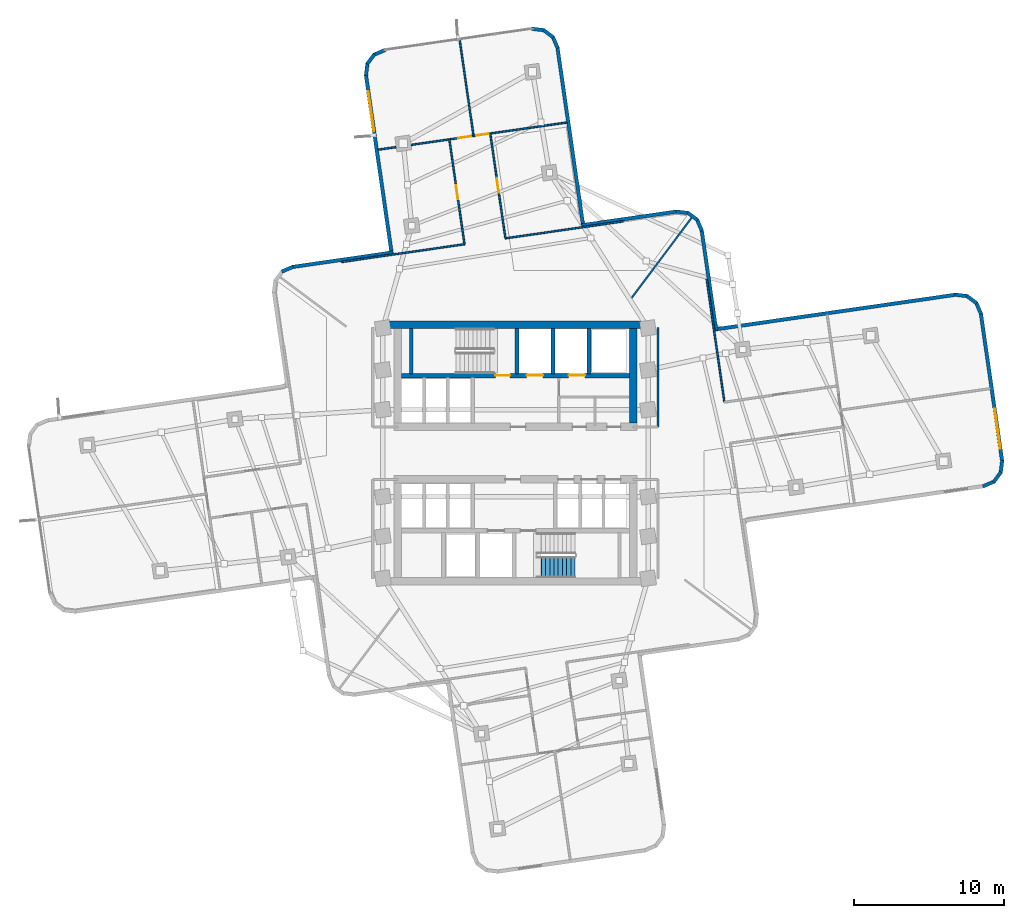
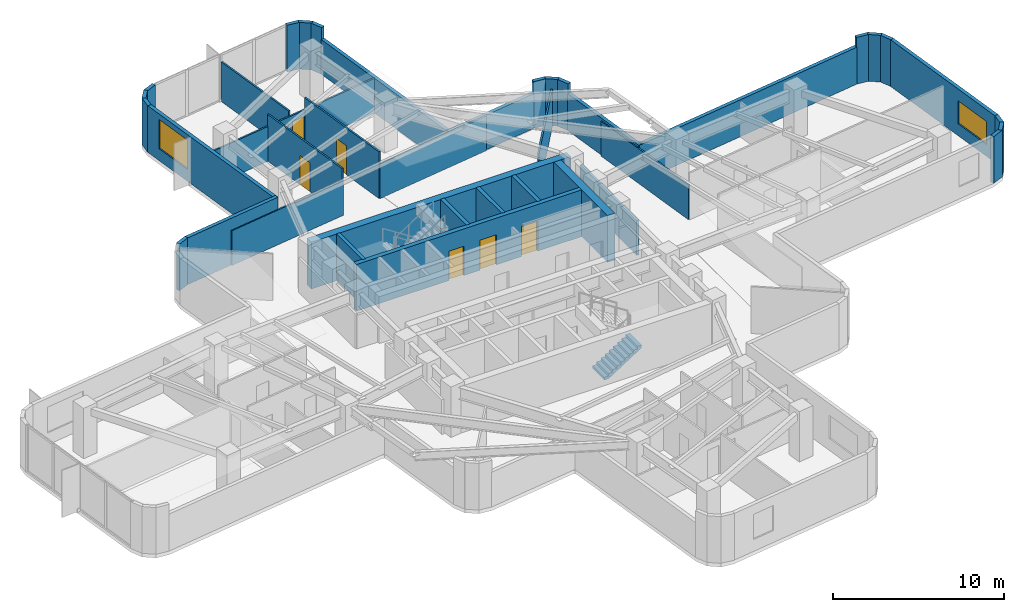
# One storey, part 8 of 13: 39 walls, 7 doors, 2 windows, 1 stair flight, 9 openings, 1 element without a shape of its own.
"""IFC4 building model written with IfcOpenShell, lengths in metres."""

from ifc_helpers import new_model, si_unit, direction, frame, frame_2d, origin, place, context, subcontext, project, spatial, polyline, rectangle, outline, extrude, material, layer, layer_set, type_object, element, fill, aggregate, save


model = new_model("IFC4")

# Units and contexts
model_context = context("Model", 3, precision=1e-05, world=origin(), true_north=direction((0.0, 1.0)))
body_context = subcontext(model_context, "Body", "Model", "MODEL_VIEW")
ifc_project = project(units=[si_unit("LENGTHUNIT", "METRE"), si_unit("AREAUNIT", "SQUARE_METRE"), si_unit("VOLUMEUNIT", "CUBIC_METRE"), si_unit("PLANEANGLEUNIT", "RADIAN"), si_unit("MASSUNIT", "GRAM", prefix="KILO")], contexts=[model_context])

# Site, building, storey
site_placement = place(None, origin())
site = spatial("IfcSite", under=ifc_project, at=site_placement, CompositionType="ELEMENT")
building_placement = place(site_placement, origin())
building = spatial("IfcBuilding", under=site, at=building_placement, Name="Solmarez Civic Tower", CompositionType="ELEMENT")
storey_placement = place(building_placement, frame((0.0, 0.0, 89.280029296875)))
storey = spatial("IfcBuildingStorey", under=building, at=storey_placement, Name="L23", CompositionType="ELEMENT", Elevation=89.280029296875)

# Walls
ifc_material_1 = material(Name="Concrete C60/75", Category="concrete")
ifc_layer_1 = layer(ifc_material_1, 0.5)
ifc_layer_set_1 = layer_set([ifc_layer_1], Name="Concrete C60/75")
wall_type_1 = type_object("IfcWallType", Name="WALL-CORE-500", PredefinedType="SHEAR", material=ifc_layer_set_1)
wall_1_placement = place(storey_placement, frame((-8.780029296875, 8.56005859375, 0.0), z_axis=(0.0, 0.0, 1.0), x_axis=(1.0, 0.0, 0.0)))
element("IfcWall", 1, at=wall_1_placement, inside=storey, type_object=wall_type_1, Name="L23 Split-Core Structural Wall NCW-N-L23", PredefinedType="SHEAR", context=body_context, shape_type="SweptSolid", body=[
    extrude(rectangle(XDim=17.56005859375, YDim=0.5, at=frame_2d((8.780029296875, 0.0))), origin(), (0.0, 0.0, 1.0), 3.340087890625),
])
wall_2_placement = place(storey_placement, frame((7.8701171875, 8.31005859375, 0.0), z_axis=(0.0, 0.0, 1.0), x_axis=(0.0, -1.0, 0.0)))
element("IfcWall", 2, at=wall_2_placement, inside=storey, type_object=wall_type_1, Name="L23 Split-Core Structural Wall NCW-E-L23", PredefinedType="SHEAR", context=body_context, shape_type="SweptSolid", body=[
    extrude(rectangle(XDim=6.31005859375, YDim=0.5, at=frame_2d((3.155029296875, 0.0))), origin(), (0.0, 0.0, 1.0), 3.340087890625),
])
ifc_material_2 = material(Name="Precast concrete C40/50", Category="concrete")
ifc_layer_2 = layer(ifc_material_2, 0.239990234375)
ifc_layer_set_2 = layer_set([ifc_layer_2], Name="Precast concrete C40/50")
wall_type_2 = type_object("IfcWallType", Name="WALL-EXT-240", PredefinedType="SOLIDWALL", material=ifc_layer_set_2)
wall_3_placement = place(storey_placement, frame((-15.60009765625, 12.1201171875, 0.0), z_axis=(0.0, 0.0, 1.0), x_axis=(0.918795004047, 0.394735025731, 0.0)))
element("IfcWall", 3, at=wall_3_placement, inside=storey, type_object=wall_type_2, Name="L23 Exterior Precast Wall 16", PredefinedType="SOLIDWALL", context=body_context, shape_type="SweptSolid", body=[
    extrude(rectangle(XDim=0.83056640625, YDim=0.239990234375, at=frame_2d((0.415283203125, 0.0))), origin(), (0.0, 0.0, 1.0), 3.340087890625),
])
wall_4_placement = place(storey_placement, frame((-14.885009765625, 12.43408203125, 0.0), z_axis=(0.0, 0.0, 1.0), x_axis=(0.989767068769, 0.142692500085, 0.0)))
element("IfcWall", 4, at=wall_4_placement, inside=storey, type_object=wall_type_2, Name="L23 Exterior Precast Wall 17", PredefinedType="SOLIDWALL", context=body_context, shape_type="SweptSolid", body=[
    extrude(rectangle(XDim=6.775390625, YDim=0.239990234375, at=frame_2d((3.3876953125, 0.0))), origin(), (0.0, 0.0, 1.0), 3.340087890625),
])

# Wall, opening, window
wall_5_placement = place(storey_placement, frame((-8.260009765625, 13.2919921875, 0.0), z_axis=(0.0, 0.0, 1.0), x_axis=(-0.14267798931, 0.989769160646, 0.0)))
wall_5 = element("IfcWall", 5, at=wall_5_placement, inside=storey, type_object=wall_type_2, Name="L23 Exterior Precast Wall 20", PredefinedType="SOLIDWALL", context=body_context, shape_type="SweptSolid", body=[
    extrude(rectangle(XDim=12.075439453125, YDim=0.239990234375, at=frame_2d((6.03759765625, 0.0))), origin(), (0.0, 0.0, 1.0), 3.340087890625),
])
opening_1_placement = place(wall_5_placement, frame((8.27587890625, 0.0, 0.85009765625)))
opening_1 = element("IfcOpeningElement", 6, at=opening_1_placement, cuts=wall_5, Name="Opening W-01", PredefinedType="OPENING", context=body_context, shape_type="SweptSolid", body=[
    extrude(rectangle(XDim=2.699951171875, YDim=2.10009765625, at=frame_2d((1.35009765625, 1.050048828125))), frame((0.0, 0.1298828125, 0.0), z_axis=(0.0, -1.0, 0.0), x_axis=(1.0, 0.0, 0.0)), (0.0, 0.0, 1.0), 0.260009765625),
])
ifc_material_3 = material(Name="Solar Control Bronze-Tinted Insulating Glass", Category="glass")
window_type_1 = type_object("IfcWindowType", Name="WIN-2700X2100", PartitioningType="SINGLE_PANEL", PredefinedType="WINDOW", material=ifc_material_3)
window_1_placement = place(opening_1_placement, origin())
window_1 = element("IfcWindow", 7, at=window_1_placement, inside=storey, type_object=window_type_1, Name="L23 Exterior Facade Window 20", OverallHeight=2.10009765625, OverallWidth=2.699951171875, PartitioningType="SINGLE_PANEL", PredefinedType="WINDOW", context=body_context, shape_type="SweptSolid", body=[
    extrude(rectangle(XDim=2.699951171875, YDim=2.10009765625, at=frame_2d((1.35009765625, 1.050048828125))), frame((0.0, 0.030029296875, 0.0), z_axis=(0.0, -1.0, 0.0), x_axis=(1.0, 0.0, 0.0)), (0.0, 0.0, 1.0), 0.06005859375),
])
fill(opening_1, window_1)

# Walls
wall_6_placement = place(storey_placement, frame((-9.98193359375, 25.194091796875, 0.0), z_axis=(0.0, 0.0, 1.0), x_axis=(0.117847211411, 0.993031739051, 0.0)))
element("IfcWall", 8, at=wall_6_placement, inside=storey, type_object=wall_type_2, Name="L23 Exterior Precast Wall 21", PredefinedType="SOLIDWALL", context=body_context, shape_type="SweptSolid", body=[
    extrude(rectangle(XDim=0.830810546875, YDim=0.239990234375, at=frame_2d((0.41552734375, 0.0))), origin(), (0.0, 0.0, 1.0), 3.340087890625),
])
wall_7_placement = place(storey_placement, frame((-9.902099609375, 25.97412109375, 0.0), z_axis=(0.0, 0.0, 1.0), x_axis=(0.599903963027, 0.800072018724, 0.0)))
element("IfcWall", 9, at=wall_7_placement, inside=storey, type_object=wall_type_2, Name="L23 Exterior Precast Wall 22", PredefinedType="SOLIDWALL", context=body_context, shape_type="SweptSolid", body=[
    extrude(rectangle(XDim=0.8134765625, YDim=0.239990234375, at=frame_2d((0.40673828125, 0.0))), origin(), (0.0, 0.0, 1.0), 3.340087890625),
])
wall_8_placement = place(storey_placement, frame((-9.451904296875, 26.594970703125, 0.0), z_axis=(0.0, 0.0, 1.0), x_axis=(0.91864251547, 0.395089773053, 0.0)))
element("IfcWall", 10, at=wall_8_placement, inside=storey, type_object=wall_type_2, Name="L23 Exterior Precast Wall 23", PredefinedType="SOLIDWALL", context=body_context, shape_type="SweptSolid", body=[
    extrude(rectangle(XDim=0.83056640625, YDim=0.239990234375, at=frame_2d((0.415283203125, 0.0))), origin(), (0.0, 0.0, 1.0), 3.340087890625),
])
wall_9_placement = place(storey_placement, frame((1.090087890625, 28.33203125, 0.0), z_axis=(0.0, 0.0, 1.0), x_axis=(0.992858752215, -0.119295842971, 0.0)))
element("IfcWall", 11, at=wall_9_placement, inside=storey, type_object=wall_type_2, Name="L23 Exterior Precast Wall 25", PredefinedType="SOLIDWALL", context=body_context, shape_type="SweptSolid", body=[
    extrude(rectangle(XDim=0.830810546875, YDim=0.239990234375, at=frame_2d((0.41552734375, 0.0))), origin(), (0.0, 0.0, 1.0), 3.340087890625),
])
wall_10_placement = place(storey_placement, frame((1.8701171875, 28.2509765625, 0.0), z_axis=(0.0, 0.0, 1.0), x_axis=(0.801078810005, -0.598558886127, 0.0)))
element("IfcWall", 12, at=wall_10_placement, inside=storey, type_object=wall_type_2, Name="L23 Exterior Precast Wall 26", PredefinedType="SOLIDWALL", context=body_context, shape_type="SweptSolid", body=[
    extrude(rectangle(XDim=0.813720703125, YDim=0.239990234375, at=frame_2d((0.40673828125, 0.0))), origin(), (0.0, 0.0, 1.0), 3.340087890625),
])
wall_11_placement = place(storey_placement, frame((2.491943359375, 27.802001953125, 0.0), z_axis=(0.0, 0.0, 1.0), x_axis=(0.39409676662, -0.919068952005, 0.0)))
element("IfcWall", 13, at=wall_11_placement, inside=storey, type_object=wall_type_2, Name="L23 Exterior Precast Wall 27", PredefinedType="SOLIDWALL", context=body_context, shape_type="SweptSolid", body=[
    extrude(rectangle(XDim=0.830078125, YDim=0.239990234375, at=frame_2d((0.4150390625, 0.0))), origin(), (0.0, 0.0, 1.0), 3.340087890625),
])
wall_12_placement = place(storey_placement, frame((2.804931640625, 27.0869140625, 0.0), z_axis=(0.0, 0.0, 1.0), x_axis=(0.142686374402, -0.989767951876, 0.0)))
element("IfcWall", 14, at=wall_12_placement, inside=storey, type_object=wall_type_2, Name="L23 Exterior Precast Wall 28", PredefinedType="SOLIDWALL", context=body_context, shape_type="SweptSolid", body=[
    extrude(rectangle(XDim=12.076416015625, YDim=0.239990234375, at=frame_2d((6.0380859375, 0.0))), origin(), (0.0, 0.0, 1.0), 2.486083984375),
])
wall_13_placement = place(storey_placement, frame((4.4189453125, 15.215087890625, 0.0), z_axis=(0.0, 0.0, 1.0), x_axis=(0.989755260243, 0.14277438433, 0.0)))
element("IfcWall", 15, at=wall_13_placement, inside=storey, type_object=wall_type_2, Name="L23 Exterior Precast Wall 31", PredefinedType="SOLIDWALL", context=body_context, shape_type="SweptSolid", body=[
    extrude(rectangle(XDim=6.415771484375, YDim=0.239990234375, at=frame_2d((3.2080078125, 0.0))), origin(), (0.0, 0.0, 1.0), 2.486083984375),
])
wall_14_placement = place(storey_placement, frame((10.718994140625, 16.1298828125, 0.0), z_axis=(0.0, 0.0, 1.0), x_axis=(0.993031739051, -0.117847211411, 0.0)))
element("IfcWall", 16, at=wall_14_placement, inside=storey, type_object=wall_type_2, Name="L23 Exterior Precast Wall 32", PredefinedType="SOLIDWALL", context=body_context, shape_type="SweptSolid", body=[
    extrude(rectangle(XDim=0.830810546875, YDim=0.239990234375, at=frame_2d((0.41552734375, 0.0))), origin(), (0.0, 0.0, 1.0), 3.340087890625),
])
wall_15_placement = place(storey_placement, frame((11.4990234375, 16.050048828125, 0.0), z_axis=(0.0, 0.0, 1.0), x_axis=(0.800072018724, -0.599903963027, 0.0)))
element("IfcWall", 17, at=wall_15_placement, inside=storey, type_object=wall_type_2, Name="L23 Exterior Precast Wall 33", PredefinedType="SOLIDWALL", context=body_context, shape_type="SweptSolid", body=[
    extrude(rectangle(XDim=0.8134765625, YDim=0.239990234375, at=frame_2d((0.40673828125, 0.0))), origin(), (0.0, 0.0, 1.0), 3.340087890625),
])
wall_16_placement = place(storey_placement, frame((12.1201171875, 15.60009765625, 0.0), z_axis=(0.0, 0.0, 1.0), x_axis=(0.394735025731, -0.918795004047, 0.0)))
element("IfcWall", 18, at=wall_16_placement, inside=storey, type_object=wall_type_2, Name="L23 Exterior Precast Wall 34", PredefinedType="SOLIDWALL", context=body_context, shape_type="SweptSolid", body=[
    extrude(rectangle(XDim=0.83056640625, YDim=0.239990234375, at=frame_2d((0.415283203125, 0.0))), origin(), (0.0, 0.0, 1.0), 3.340087890625),
])
wall_17_placement = place(storey_placement, frame((12.43408203125, 14.885009765625, 0.0), z_axis=(0.0, 0.0, 1.0), x_axis=(0.142692500085, -0.989767068769, 0.0)))
element("IfcWall", 19, at=wall_17_placement, inside=storey, type_object=wall_type_2, Name="L23 Exterior Precast Wall 35", PredefinedType="SOLIDWALL", context=body_context, shape_type="SweptSolid", body=[
    extrude(rectangle(XDim=6.775390625, YDim=0.239990234375, at=frame_2d((3.3876953125, 0.0))), origin(), (0.0, 0.0, 1.0), 2.64404296875),
])
wall_18_placement = place(storey_placement, frame((13.2919921875, 8.260009765625, 0.0), z_axis=(0.0, 0.0, 1.0), x_axis=(0.989770197797, 0.142670794326, 0.0)))
element("IfcWall", 20, at=wall_18_placement, inside=storey, type_object=wall_type_2, Name="L23 Exterior Precast Wall 38", PredefinedType="SOLIDWALL", context=body_context, shape_type="SweptSolid", body=[
    extrude(rectangle(XDim=16.275390625, YDim=0.239990234375, at=frame_2d((8.1376953125, 0.0))), origin(), (0.0, 0.0, 1.0), 2.64404296875),
])
wall_19_placement = place(storey_placement, frame((29.35107421875, 10.5810546875, 0.0), z_axis=(0.0, 0.0, 1.0), x_axis=(0.992997305963, -0.118136998224, 0.0)))
element("IfcWall", 21, at=wall_19_placement, inside=storey, type_object=wall_type_2, Name="L23 Exterior Precast Wall 39", PredefinedType="SOLIDWALL", context=body_context, shape_type="SweptSolid", body=[
    extrude(rectangle(XDim=0.830810546875, YDim=0.239990234375, at=frame_2d((0.41552734375, 0.0))), origin(), (0.0, 0.0, 1.0), 3.340087890625),
])
wall_20_placement = place(storey_placement, frame((30.131103515625, 10.5009765625, 0.0), z_axis=(0.0, 0.0, 1.0), x_axis=(0.800072018724, -0.599903963027, 0.0)))
element("IfcWall", 22, at=wall_20_placement, inside=storey, type_object=wall_type_2, Name="L23 Exterior Precast Wall 40", PredefinedType="SOLIDWALL", context=body_context, shape_type="SweptSolid", body=[
    extrude(rectangle(XDim=0.8134765625, YDim=0.239990234375, at=frame_2d((0.40673828125, 0.0))), origin(), (0.0, 0.0, 1.0), 3.340087890625),
])
wall_21_placement = place(storey_placement, frame((30.751953125, 10.051025390625, 0.0), z_axis=(0.0, 0.0, 1.0), x_axis=(0.395089773053, -0.91864251547, 0.0)))
element("IfcWall", 23, at=wall_21_placement, inside=storey, type_object=wall_type_2, Name="L23 Exterior Precast Wall 41", PredefinedType="SOLIDWALL", context=body_context, shape_type="SweptSolid", body=[
    extrude(rectangle(XDim=0.83056640625, YDim=0.239990234375, at=frame_2d((0.415283203125, 0.0))), origin(), (0.0, 0.0, 1.0), 3.340087890625),
])

# Wall, opening, window
wall_22_placement = place(storey_placement, frame((31.06591796875, 9.3359375, 0.0), z_axis=(0.0, 0.0, 1.0), x_axis=(0.142705661552, -0.98976517122, 0.0)))
wall_22 = element("IfcWall", 24, at=wall_22_placement, inside=storey, type_object=wall_type_2, Name="L23 Exterior Precast Wall 42", PredefinedType="SOLIDWALL", context=body_context, shape_type="SweptSolid", body=[
    extrude(rectangle(XDim=9.97900390625, YDim=0.239990234375, at=frame_2d((4.989501953125, 0.0))), origin(), (0.0, 0.0, 1.0), 3.340087890625),
])
opening_2_placement = place(wall_22_placement, frame((6.43408203125, 0.0, 0.85009765625)))
opening_2 = element("IfcOpeningElement", 25, at=opening_2_placement, cuts=wall_22, Name="Opening W-09", PredefinedType="OPENING", context=body_context, shape_type="SweptSolid", body=[
    extrude(rectangle(XDim=2.699951171875, YDim=1.64990234375, at=frame_2d((1.35009765625, 0.824951171875))), frame((0.0, 0.1298828125, 0.0), z_axis=(0.0, -1.0, 0.0), x_axis=(1.0, 0.0, 0.0)), (0.0, 0.0, 1.0), 0.260009765625),
])
window_type_2 = type_object("IfcWindowType", Name="WIN-2700X1650", PartitioningType="SINGLE_PANEL", PredefinedType="WINDOW", material=ifc_material_3)
window_2_placement = place(opening_2_placement, origin())
window_2 = element("IfcWindow", 26, at=window_2_placement, inside=storey, type_object=window_type_2, Name="L23 Exterior Facade Window 42", OverallHeight=1.64990234375, OverallWidth=2.699951171875, PartitioningType="SINGLE_PANEL", PredefinedType="WINDOW", context=body_context, shape_type="SweptSolid", body=[
    extrude(rectangle(XDim=2.699951171875, YDim=1.64990234375, at=frame_2d((1.35009765625, 0.824951171875))), frame((0.0, 0.030029296875, 0.0), z_axis=(0.0, -1.0, 0.0), x_axis=(1.0, 0.0, 0.0)), (0.0, 0.0, 1.0), 0.06005859375),
])
fill(opening_2, window_2)

# Walls
wall_23_placement = place(storey_placement, frame((32.489013671875, -0.490966796875, 0.0), z_axis=(0.0, 0.0, 1.0), x_axis=(-0.119295842971, -0.992858752215, 0.0)))
element("IfcWall", 27, at=wall_23_placement, inside=storey, type_object=wall_type_2, Name="L23 Exterior Precast Wall 43", PredefinedType="SOLIDWALL", context=body_context, shape_type="SweptSolid", body=[
    extrude(rectangle(XDim=0.830810546875, YDim=0.239990234375, at=frame_2d((0.41552734375, 0.0))), origin(), (0.0, 0.0, 1.0), 3.340087890625),
])
wall_24_placement = place(storey_placement, frame((32.407958984375, -1.27099609375, 0.0), z_axis=(0.0, 0.0, 1.0), x_axis=(-0.598415049045, -0.801186263659, 0.0)))
element("IfcWall", 28, at=wall_24_placement, inside=storey, type_object=wall_type_2, Name="L23 Exterior Precast Wall 44", PredefinedType="SOLIDWALL", context=body_context, shape_type="SweptSolid", body=[
    extrude(rectangle(XDim=0.81396484375, YDim=0.239990234375, at=frame_2d((0.406982421875, 0.0))), origin(), (0.0, 0.0, 1.0), 3.340087890625),
])
wall_25_placement = place(storey_placement, frame((31.958984375, -1.89306640625, 0.0), z_axis=(0.0, 0.0, 1.0), x_axis=(-0.919175455153, -0.393848299024, 0.0)))
element("IfcWall", 29, at=wall_25_placement, inside=storey, type_object=wall_type_2, Name="L23 Exterior Precast Wall 45", PredefinedType="SOLIDWALL", context=body_context, shape_type="SweptSolid", body=[
    extrude(rectangle(XDim=0.830078125, YDim=0.239990234375, at=frame_2d((0.4150390625, 0.0))), origin(), (0.0, 0.0, 1.0), 3.340087890625),
])
ifc_material_4 = material(Name="Gypsum Board Acoustic Steel-Stud Partition", Category="steel")
ifc_layer_3 = layer(ifc_material_4, 0.14990234375)
ifc_layer_set_3 = layer_set([ifc_layer_3], Name="Gypsum Board Acoustic Steel-Stud Partition")
wall_type_3 = type_object("IfcWallType", Name="WALL-INT-FIRE-150", PredefinedType="PARTITIONING", material=ifc_layer_set_3)
wall_26_placement = place(storey_placement, frame((9.52001953125, 1.75, 0.0), z_axis=(0.0, 0.0, 1.0), x_axis=(0.0, 1.0, 0.0)))
element("IfcWall", 30, at=wall_26_placement, inside=storey, type_object=wall_type_3, Name="L23 Interior Partition CHW-L23-EN1", PredefinedType="PARTITIONING", context=body_context, shape_type="SweptSolid", body=[
    extrude(rectangle(XDim=6.6298828125, YDim=0.14990234375, at=frame_2d((3.31494140625, 0.0))), origin(), (0.0, 0.0, 1.0), 2.486083984375),
])
ifc_layer_4 = layer(ifc_material_4, 0.110107421875)
ifc_layer_set_4 = layer_set([ifc_layer_4], Name="Gypsum Board Acoustic Steel-Stud Partition")
wall_type_4 = type_object("IfcWallType", Name="WALL-INT-PART-110", PredefinedType="PARTITIONING", material=ifc_layer_set_4)
wall_27_placement = place(storey_placement, frame((7.76611328125, 10.3798828125, 0.0), z_axis=(0.0, 0.0, 1.0), x_axis=(0.598966195252, 0.800774310867, 0.0)))
element("IfcWall", 31, at=wall_27_placement, inside=storey, type_object=wall_type_4, Name="L23 Interior Partition PT-L23-QDIV-1", PredefinedType="PARTITIONING", context=body_context, shape_type="SweptSolid", body=[
    extrude(rectangle(XDim=6.691162109375, YDim=0.110107421875, at=frame_2d((3.345703125, 0.0))), origin(), (0.0, 0.0, 1.0), 2.64404296875),
])
for number, where, z_axis, x_axis, name in (
    (32, (13.948974609375, 3.39404296875, 0.0), (0.0, 0.0, 1.0), (-0.142725091033, 0.989762369657, 0.0), "L23 Interior Partition PT-L23-E-EFL"),
    (33, (-3.39404296875, 13.948974609375, 0.0), (0.0, 0.0, 1.0), (-0.989762369657, -0.142725091033, 0.0), "L23 Interior Partition PT-L23-N-EFL"),
):
    element("IfcWall", number, at=place(storey_placement, frame(where, z_axis=z_axis, x_axis=x_axis)), inside=storey, type_object=wall_type_4, Name=name, PredefinedType="PARTITIONING", context=body_context, shape_type="SweptSolid", body=[
        extrude(rectangle(XDim=8.309814453125, YDim=0.110107421875, at=frame_2d((4.15478515625, 0.0))), origin(), (0.0, 0.0, 1.0), 2.486083984375),
    ])
wall_28_placement = place(storey_placement, frame((7.18603515625, 15.47412109375, 0.0), z_axis=(0.0, 0.0, 1.0), x_axis=(-0.989754461648, -0.142779920322, 0.0)))
element("IfcWall", 34, at=wall_28_placement, inside=storey, type_object=wall_type_4, Name="L23 Interior Partition PT-L23-N-EFR", PredefinedType="PARTITIONING", context=body_context, shape_type="SweptSolid", body=[
    extrude(rectangle(XDim=7.949462890625, YDim=0.110107421875, at=frame_2d((3.974609375, 0.0))), origin(), (0.0, 0.0, 1.0), 2.486083984375),
])

# Wall, opening, door
wall_29_placement = place(storey_placement, frame((-4.412109375, 20.945068359375, 0.0), z_axis=(0.0, 0.0, 1.0), x_axis=(0.142576652211, -0.989783763377, 0.0)))
wall_29 = element("IfcWall", 35, at=wall_29_placement, inside=storey, type_object=wall_type_4, Name="L23 Interior Partition PT-L23-N-SL", PredefinedType="PARTITIONING", context=body_context, shape_type="SweptSolid", body=[
    extrude(rectangle(XDim=7.0703125, YDim=0.110107421875, at=frame_2d((3.53515625, 0.0))), origin(), (0.0, 0.0, 1.0), 3.340087890625),
])
opening_3_placement = place(wall_29_placement, frame((3.0849609375, 0.0, 0.0)))
opening_3 = element("IfcOpeningElement", 36, at=opening_3_placement, cuts=wall_29, Name="Opening D-10", PredefinedType="OPENING", context=body_context, shape_type="SweptSolid", body=[
    extrude(rectangle(XDim=0.949951171875, YDim=2.080078125, at=frame_2d((0.47509765625, 1.0400390625))), frame((0.0, 0.06494140625, 0.0), z_axis=(0.0, -1.0, 0.0), x_axis=(1.0, 0.0, 0.0)), (0.0, 0.0, 1.0), 0.130126953125),
])
ifc_material_5 = material(Name="Solid-Core Timber Ministry Office Door", Category="wood")
door_type_1 = type_object("IfcDoorType", Name="DOOR-INT-950", OperationType="NOTDEFINED", PredefinedType="DOOR", material=ifc_material_5)
door_1_placement = place(opening_3_placement, origin())
door_1 = element("IfcDoor", 37, at=door_1_placement, inside=storey, type_object=door_type_1, Name="L23 Diplomatic Sitting Lounge North Door", OperationType="SINGLE_SWING_LEFT", OverallHeight=2.080078125, OverallWidth=0.949951171875, PredefinedType="DOOR", context=body_context, shape_type="SweptSolid", body=[
    extrude(rectangle(XDim=0.949951171875, YDim=2.080078125, at=frame_2d((0.47509765625, 1.0400390625))), frame((0.0, 0.02490234375, 0.0), z_axis=(0.0, -1.0, 0.0), x_axis=(1.0, 0.0, 0.0)), (0.0, 0.0, 1.0), 0.050048828125),
])
fill(opening_3, door_1)

wall_30_placement = place(storey_placement, frame((-0.672119140625, 14.341064453125, 0.0), z_axis=(0.0, 0.0, 1.0), x_axis=(-0.142702521312, 0.989765623979, 0.0)))
wall_30 = element("IfcWall", 38, at=wall_30_placement, inside=storey, type_object=wall_type_4, Name="L23 Interior Partition PT-L23-N-SR", PredefinedType="PARTITIONING", context=body_context, shape_type="SweptSolid", body=[
    extrude(rectangle(XDim=7.069091796875, YDim=0.110107421875, at=frame_2d((3.53466796875, 0.0))), origin(), (0.0, 0.0, 1.0), 3.340087890625),
])
opening_4_placement = place(wall_30_placement, frame((3.0849609375, 0.0, 0.0)))
opening_4 = element("IfcOpeningElement", 39, at=opening_4_placement, cuts=wall_30, Name="Opening D-10", PredefinedType="OPENING", context=body_context, shape_type="SweptSolid", body=[
    extrude(rectangle(XDim=0.949951171875, YDim=2.080078125, at=frame_2d((0.47509765625, 1.0400390625))), frame((0.0, 0.06494140625, 0.0), z_axis=(0.0, -1.0, 0.0), x_axis=(1.0, 0.0, 0.0)), (0.0, 0.0, 1.0), 0.130126953125),
])
door_2_placement = place(opening_4_placement, origin())
door_2 = element("IfcDoor", 40, at=door_2_placement, inside=storey, type_object=door_type_1, Name="L23 Protocol Reception Room North Door", OperationType="SINGLE_SWING_RIGHT", OverallHeight=2.080078125, OverallWidth=0.949951171875, PredefinedType="DOOR", context=body_context, shape_type="SweptSolid", body=[
    extrude(rectangle(XDim=0.949951171875, YDim=2.080078125, at=frame_2d((0.47509765625, 1.0400390625))), frame((0.0, 0.02490234375, 0.0), z_axis=(0.0, -1.0, 0.0), x_axis=(1.0, 0.0, 0.0)), (0.0, 0.0, 1.0), 0.050048828125),
])
fill(opening_4, door_2)

# Wall
wall_31_placement = place(storey_placement, frame((-2.80810546875, 21.237060546875, 0.0), z_axis=(0.0, 0.0, 1.0), x_axis=(-0.142573953355, 0.989784152139, 0.0)))
element("IfcWall", 41, at=wall_31_placement, inside=storey, type_object=wall_type_4, Name="L23 Interior Partition PT-L23-N-TM", PredefinedType="PARTITIONING", context=body_context, shape_type="SweptSolid", body=[
    extrude(rectangle(XDim=6.375244140625, YDim=0.110107421875, at=frame_2d((3.1875, 0.0))), origin(), (0.0, 0.0, 1.0), 2.83203125),
])

# Wall, openings, doors
wall_32_placement = place(storey_placement, frame((-9.177978515625, 20.258056640625, 0.0), z_axis=(0.0, 0.0, 1.0), x_axis=(0.989782205751, 0.142587465011, 0.0)))
wall_32 = element("IfcWall", 42, at=wall_32_placement, inside=storey, type_object=wall_type_4, Name="L23 Interior Partition PT-L23-N-END", PredefinedType="PARTITIONING", context=body_context, shape_type="SweptSolid", body=[
    extrude(rectangle(XDim=12.749267578125, YDim=0.110107421875, at=frame_2d((6.37451171875, 0.0))), origin(), (0.0, 0.0, 1.0), 2.486083984375),
])
opening_5_placement = place(wall_32_placement, frame((6.614990234375, 0.0, 0.0)))
opening_5 = element("IfcOpeningElement", 43, at=opening_5_placement, cuts=wall_32, Name="Opening D-14", PredefinedType="OPENING", context=body_context, shape_type="SweptSolid", body=[
    extrude(rectangle(XDim=0.860107421875, YDim=2.0400390625, at=frame_2d((0.43017578125, 1.02001953125))), frame((0.0, 0.06494140625, 0.0), z_axis=(0.0, -1.0, 0.0), x_axis=(1.0, 0.0, 0.0)), (0.0, 0.0, 1.0), 0.130126953125),
])
opening_6_placement = place(wall_32_placement, frame((5.4150390625, 0.0, 0.0)))
opening_6 = element("IfcOpeningElement", 44, at=opening_6_placement, cuts=wall_32, Name="Opening D-14", PredefinedType="OPENING", context=body_context, shape_type="SweptSolid", body=[
    extrude(rectangle(XDim=0.860107421875, YDim=2.0400390625, at=frame_2d((0.43017578125, 1.02001953125))), frame((0.0, 0.06494140625, 0.0), z_axis=(0.0, -1.0, 0.0), x_axis=(1.0, 0.0, 0.0)), (0.0, 0.0, 1.0), 0.130126953125),
])
ifc_material_6 = material(Name="Timber Storage and Pantry Door", Category="wood")
door_type_2 = type_object("IfcDoorType", Name="DOOR-INT-850", OperationType="NOTDEFINED", PredefinedType="DOOR", material=ifc_material_6)
door_3_placement = place(opening_5_placement, origin())
door_3 = element("IfcDoor", 45, at=door_3_placement, inside=storey, type_object=door_type_2, Name="L23 Executive Boardroom Sixth North Door", OperationType="SINGLE_SWING_RIGHT", OverallHeight=2.0400390625, OverallWidth=0.860107421875, PredefinedType="DOOR", context=body_context, shape_type="SweptSolid", body=[
    extrude(rectangle(XDim=0.860107421875, YDim=2.0400390625, at=frame_2d((0.43017578125, 1.02001953125))), frame((0.0, 0.02490234375, 0.0), z_axis=(0.0, -1.0, 0.0), x_axis=(1.0, 0.0, 0.0)), (0.0, 0.0, 1.0), 0.050048828125),
])
fill(opening_5, door_3)
door_4_placement = place(opening_6_placement, origin())
door_4 = element("IfcDoor", 46, at=door_4_placement, inside=storey, type_object=door_type_2, Name="L23 Security Control Room Fifth North Door", OperationType="SINGLE_SWING_LEFT", OverallHeight=2.0400390625, OverallWidth=0.860107421875, PredefinedType="DOOR", context=body_context, shape_type="SweptSolid", body=[
    extrude(rectangle(XDim=0.860107421875, YDim=2.0400390625, at=frame_2d((0.43017578125, 1.02001953125))), frame((0.0, 0.02490234375, 0.0), z_axis=(0.0, -1.0, 0.0), x_axis=(1.0, 0.0, 0.0)), (0.0, 0.0, 1.0), 0.050048828125),
])
fill(opening_6, door_4)

ifc_material_7 = material(Name="Concrete C50/60", Category="concrete")
ifc_layer_5 = layer(ifc_material_7, 0.300048828125)
ifc_layer_set_5 = layer_set([ifc_layer_5], Name="Concrete C50/60")
wall_type_5 = type_object("IfcWallType", Name="WALL-STR-300", PredefinedType="SOLIDWALL", material=ifc_layer_set_5)
wall_33_placement = place(storey_placement, frame((7.6201171875, 5.179931640625, 0.0), z_axis=(0.0, 0.0, 1.0), x_axis=(-1.0, 0.0, 0.0)))
wall_33 = element("IfcWall", 47, at=wall_33_placement, inside=storey, type_object=wall_type_5, Name="L23 Split-Core Structural Wall NCW-M-L23", PredefinedType="SOLIDWALL", context=body_context, shape_type="SweptSolid", body=[
    extrude(rectangle(XDim=15.240234375, YDim=0.300048828125, at=frame_2d((7.6201171875, 0.0))), origin(), (0.0, 0.0, 1.0), 3.340087890625),
])
opening_7_placement = place(wall_33_placement, frame((5.77001953125, 0.0, 0.0)))
opening_7 = element("IfcOpeningElement", 48, at=opening_7_placement, cuts=wall_33, Name="Opening LD-02", PredefinedType="OPENING", context=body_context, shape_type="SweptSolid", body=[
    extrude(rectangle(XDim=1.10009765625, YDim=2.14990234375, at=frame_2d((0.550048828125, 1.074951171875))), frame((0.0, 0.159912109375, 0.0), z_axis=(0.0, -1.0, 0.0), x_axis=(1.0, 0.0, 0.0)), (0.0, 0.0, 1.0), 0.320068359375),
])
opening_8_placement = place(wall_33_placement, frame((2.969970703125, 0.0, 0.0)))
opening_8 = element("IfcOpeningElement", 49, at=opening_8_placement, cuts=wall_33, Name="Opening LD-03", PredefinedType="OPENING", context=body_context, shape_type="SweptSolid", body=[
    extrude(rectangle(XDim=1.10009765625, YDim=2.14990234375, at=frame_2d((0.550048828125, 1.074951171875))), frame((0.0, 0.159912109375, 0.0), z_axis=(0.0, -1.0, 0.0), x_axis=(1.0, 0.0, 0.0)), (0.0, 0.0, 1.0), 0.320068359375),
])
opening_9_placement = place(wall_33_placement, frame((7.969970703125, 0.0, 0.0)))
opening_9 = element("IfcOpeningElement", 50, at=opening_9_placement, cuts=wall_33, Name="Opening D-05", PredefinedType="OPENING", context=body_context, shape_type="SweptSolid", body=[
    extrude(rectangle(XDim=1.0, YDim=2.10009765625, at=frame_2d((0.5, 1.050048828125))), frame((0.0, 0.159912109375, 0.0), z_axis=(0.0, -1.0, 0.0), x_axis=(1.0, 0.0, 0.0)), (0.0, 0.0, 1.0), 0.320068359375),
])
ifc_material_8 = material(Name="Fire-Rated Stairwell Exit Door", Category="wood")
door_type_3 = type_object("IfcDoorType", Name="DOOR-FD90-1000", OperationType="NOTDEFINED", PredefinedType="DOOR", material=ifc_material_8)
door_5_placement = place(opening_9_placement, origin())
door_5 = element("IfcDoor", 51, at=door_5_placement, inside=storey, type_object=door_type_3, Name="L23 North Exit Stair Door ST-1", OperationType="SINGLE_SWING_RIGHT", OverallHeight=2.10009765625, OverallWidth=1.0, PredefinedType="DOOR", context=body_context, shape_type="SweptSolid", body=[
    extrude(rectangle(XDim=1.0, YDim=2.10009765625, at=frame_2d((0.5, 1.050048828125))), frame((0.0, 0.02490234375, 0.0), z_axis=(0.0, -1.0, 0.0), x_axis=(1.0, 0.0, 0.0)), (0.0, 0.0, 1.0), 0.050048828125),
])
fill(opening_9, door_5)
ifc_material_9 = material(Name="Stainless Firefighting Lift Landing Sliding Door", Category="aluminium")
door_type_4 = type_object("IfcDoorType", Name="DOOR-LD-FF-1100", OperationType="DOUBLE_DOOR_SLIDING", PredefinedType="DOOR", material=ifc_material_9)
door_6_placement = place(opening_7_placement, origin())
door_6 = element("IfcDoor", 52, at=door_6_placement, inside=storey, type_object=door_type_4, Name="L23 Firefighting Lift Landing Door FFL-1", OperationType="DOUBLE_DOOR_SLIDING", OverallHeight=2.14990234375, OverallWidth=1.10009765625, PredefinedType="DOOR", context=body_context, shape_type="SweptSolid", body=[
    extrude(rectangle(XDim=1.10009765625, YDim=2.14990234375, at=frame_2d((0.550048828125, 1.074951171875))), frame((0.0, 0.02490234375, 0.0), z_axis=(0.0, -1.0, 0.0), x_axis=(1.0, 0.0, 0.0)), (0.0, 0.0, 1.0), 0.050048828125),
])
fill(opening_7, door_6)
ifc_material_10 = material(Name="Stainless Stretcher Lift Landing Sliding Door", Category="aluminium")
door_type_5 = type_object("IfcDoorType", Name="DOOR-LD-SV-1100", OperationType="DOUBLE_DOOR_SLIDING", PredefinedType="DOOR", material=ifc_material_10)
door_7_placement = place(opening_8_placement, origin())
door_7 = element("IfcDoor", 53, at=door_7_placement, inside=storey, type_object=door_type_5, Name="L23 Service Stretcher Lift Landing Door SVL-1", OperationType="DOUBLE_DOOR_SLIDING", OverallHeight=2.14990234375, OverallWidth=1.10009765625, PredefinedType="DOOR", context=body_context, shape_type="SweptSolid", body=[
    extrude(rectangle(XDim=1.10009765625, YDim=2.14990234375, at=frame_2d((0.550048828125, 1.074951171875))), frame((0.0, 0.02490234375, 0.0), z_axis=(0.0, -1.0, 0.0), x_axis=(1.0, 0.0, 0.0)), (0.0, 0.0, 1.0), 0.050048828125),
])
fill(opening_8, door_7)

# Walls
wall_34_placement = place(storey_placement, frame((-6.949951171875, 5.280029296875, 0.0), z_axis=(0.0, 0.0, 1.0), x_axis=(0.0, 1.0, 0.0)))
element("IfcWall", 54, at=wall_34_placement, inside=storey, type_object=wall_type_5, Name="L23 Split-Core Structural Wall SHW-NW-L23", PredefinedType="SOLIDWALL", context=body_context, shape_type="SweptSolid", body=[
    extrude(rectangle(XDim=3.06005859375, YDim=0.219970703125, at=frame_2d((1.530029296875, 0.0))), origin(), (0.0, 0.0, 1.0), 3.340087890625),
])
for number, where, z_axis, x_axis, name in (
    (55, (0.10009765625, 5.300048828125, 0.0), (0.0, 0.0, 1.0), (0.0, 1.0, 0.0), "L23 Split-Core Structural Wall SHW-N1-L23"),
    (56, (2.5, 5.300048828125, 0.0), (0.0, 0.0, 1.0), (0.0, 1.0, 0.0), "L23 Split-Core Structural Wall SHW-N2-L23"),
    (57, (4.89990234375, 5.300048828125, 0.0), (0.0, 0.0, 1.0), (0.0, 1.0, 0.0), "L23 Split-Core Structural Wall SHW-N3-L23"),
):
    element("IfcWall", number, at=place(storey_placement, frame(where, z_axis=z_axis, x_axis=x_axis)), inside=storey, type_object=wall_type_5, Name=name, PredefinedType="SOLIDWALL", context=body_context, shape_type="SweptSolid", body=[
        extrude(rectangle(XDim=3.0400390625, YDim=0.25, at=frame_2d((1.52001953125, 0.0))), origin(), (0.0, 0.0, 1.0), 3.340087890625),
    ])

# Stair, stair flight
stair_type = type_object("IfcStairType", Name="STAIR-DOGLEG-140W-20R-1800", PredefinedType="HALF_TURN_STAIR", material=ifc_material_7)
stair_placement = place(storey_placement, origin())
stair = element("IfcStair", 58, at=stair_placement, inside=storey, type_object=stair_type, Name="L23 South Core Protected Exit Stair ST-2", PredefinedType="HALF_TURN_STAIR")
stair_flight_type = type_object("IfcStairFlightType", Name="FLIGHT-DOGLEG-140W-10R-1800", PredefinedType="STRAIGHT", material=ifc_material_7)
stair_flight_placement = place(storey_placement, frame((1.449951171875, -7.6201171875, 0.0), z_axis=(0.0, 0.0, 1.0), x_axis=(1.0, 0.0, 0.0)))
stair_flight = element("IfcStairFlight", 59, at=stair_flight_placement, type_object=stair_flight_type, Name="ST-2 flight 1", NumberOfRisers=10, NumberOfTreads=9, PredefinedType="STRAIGHT", RiserHeight=0.18, TreadLength=0.28, context=body_context, shape_type="SweptSolid", body=[
    extrude(outline(polyline([(0.0, 0.0), (0.0, 0.179931640625), (0.280029296875, 0.179931640625), (0.280029296875, 0.360107421875), (0.56005859375, 0.360107421875), (0.56005859375, 0.5400390625), (0.840087890625, 0.5400390625), (0.840087890625, 0.719970703125), (1.1201171875, 0.719970703125), (1.1201171875, 0.89990234375), (1.39990234375, 0.89990234375), (1.39990234375, 1.080078125), (1.679931640625, 1.080078125), (1.679931640625, 1.260009765625), (1.9599609375, 1.260009765625), (1.9599609375, 1.43994140625), (2.239990234375, 1.43994140625), (2.239990234375, 1.6201171875), (2.52001953125, 1.6201171875), (2.52001953125, 1.800048828125), (2.52001953125, 1.429931640625), (0.295654296875, 0.0), (0.0, 0.0)])), frame((0.0, 0.699951171875, 0.0), z_axis=(0.0, -1.0, 0.0), x_axis=(1.0, 0.0, 0.0)), (0.0, 0.0, 1.0), 1.39990234375),
])
aggregate(stair, [stair_flight])

save(model, "model.ifc")
